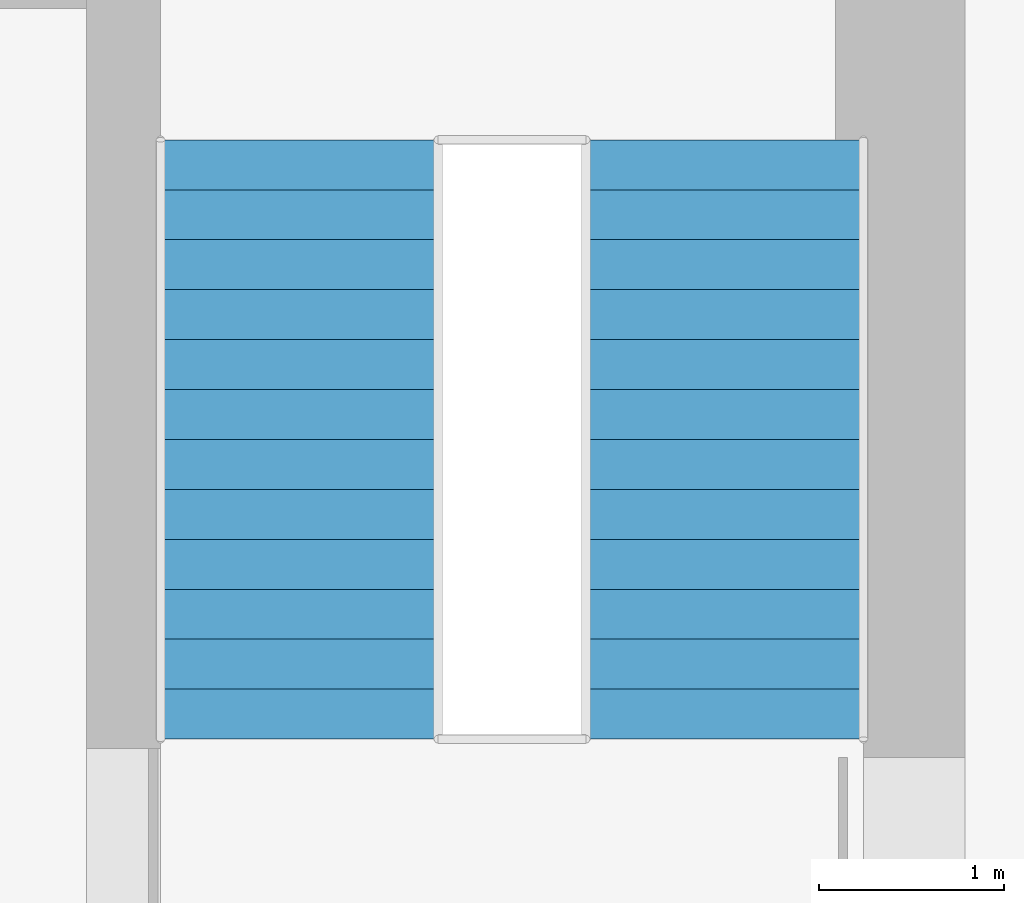
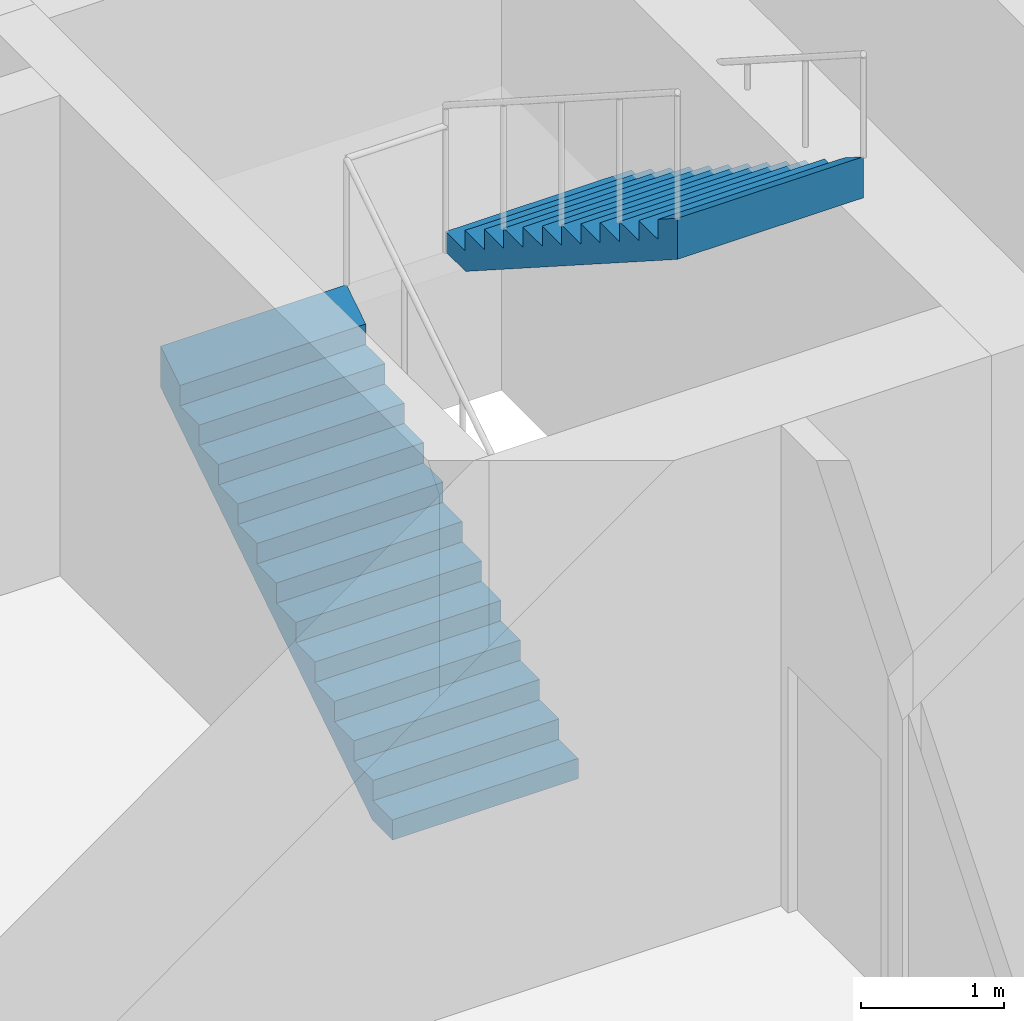
# One storey, part 11 of 14: 2 stair flights, 1 element without a shape of its own.
"""IFC4 building model written with IfcOpenShell, lengths in metres."""

from ifc_helpers import new_model, si_unit, direction, frame, origin, place, context, subcontext, project, spatial, triangles, material, type_object, element, aggregate, save


model = new_model("IFC4")

# Units and contexts
model_context = context("Model", 3, precision=1e-05, world=origin(), true_north=direction((0.0, 1.0)))
body_context = subcontext(model_context, "Body", "Model", "MODEL_VIEW")
ifc_project = project(units=[si_unit("LENGTHUNIT", "METRE"), si_unit("AREAUNIT", "SQUARE_METRE"), si_unit("VOLUMEUNIT", "CUBIC_METRE"), si_unit("PLANEANGLEUNIT", "RADIAN"), si_unit("MASSUNIT", "GRAM", prefix="KILO")], contexts=[model_context])

# Site, building, storey
site_placement = place(None, origin())
site = spatial("IfcSite", under=ifc_project, at=site_placement, CompositionType="ELEMENT")
building_placement = place(site_placement, origin())
building = spatial("IfcBuilding", under=site, at=building_placement, Name="Ludao Terraces", CompositionType="ELEMENT")
storey_placement = place(building_placement, frame((0.0, 0.0, -4.5)))
storey = spatial("IfcBuildingStorey", under=building, at=storey_placement, Name="B1", CompositionType="ELEMENT", Elevation=-4.5)

# Stair, stair flights
ifc_material = material(Name="Concrete C40", Category="concrete")
stair_type = type_object("IfcStairType", Name="INT Stair", PredefinedType="HALF_TURN_STAIR", material=ifc_material)
stair_placement = place(storey_placement, origin())
stair = element("IfcStair", 1, at=stair_placement, inside=storey, type_object=stair_type, Name="EXIT STAIR 3", PredefinedType="HALF_TURN_STAIR")
stair_flight_type = type_object("IfcStairFlightType", Name="INT Stair flight", PredefinedType="STRAIGHT", material=ifc_material)
stair_flight_1_placement = place(storey_placement, frame((91.5, 56.949951171875, 0.0), z_axis=(0.0, 0.0, 1.0), x_axis=(0.0, 1.0, 0.0)))
stair_flight_1 = element("IfcStairFlight", 2, at=stair_flight_1_placement, type_object=stair_flight_type, Name="ST3 flight 1", NumberOfRisers=13, NumberOfTreads=12, PredefinedType="STRAIGHT", RiserHeight=0.173077, TreadLength=0.27, context=body_context, shape_type="Tessellation", body=[
    triangles([(0.0, -0.75, 0.0), (0.0, -0.5, 0.0), (0.0, -0.25, 0.0), (0.0, 0.0, 0.0), (0.0, 0.25, 0.0), (0.0, 0.5, 0.0), (0.0, 0.75, 0.0), (0.0, -0.75, 0.173095703125), (0.0, -0.5, 0.173095703125), (0.0, -0.25, 0.173095703125), (0.0, 0.0, 0.173095703125), (0.0, 0.25, 0.173095703125), (0.0, 0.5, 0.173095703125), (0.0, 0.75, 0.173095703125), (0.27001953125, -0.75, 0.173095703125), (0.27001953125, -0.5, 0.173095703125), (0.27001953125, -0.25, 0.173095703125), (0.27001953125, 0.0, 0.173095703125), (0.27001953125, 0.25, 0.173095703125), (0.27001953125, 0.5, 0.173095703125), (0.27001953125, 0.75, 0.173095703125), (0.27001953125, -0.75, 0.34619140625), (0.27001953125, -0.5, 0.34619140625), (0.27001953125, -0.25, 0.34619140625), (0.27001953125, 0.0, 0.34619140625), (0.27001953125, 0.25, 0.34619140625), (0.27001953125, 0.5, 0.34619140625), (0.27001953125, 0.75, 0.34619140625), (0.5400390625, -0.75, 0.34619140625), (0.5400390625, -0.5, 0.34619140625), (0.5400390625, -0.25, 0.34619140625), (0.5400390625, 0.0, 0.34619140625), (0.5400390625, 0.25, 0.34619140625), (0.5400390625, 0.5, 0.34619140625), (0.5400390625, 0.75, 0.34619140625), (0.5400390625, -0.75, 0.519287109375), (0.5400390625, -0.5, 0.519287109375), (0.5400390625, -0.25, 0.519287109375), (0.5400390625, 0.0, 0.519287109375), (0.5400390625, 0.25, 0.519287109375), (0.5400390625, 0.5, 0.519287109375), (0.5400390625, 0.75, 0.519287109375), (0.81005859375, -0.75, 0.519287109375), (0.81005859375, -0.5, 0.519287109375), (0.81005859375, -0.25, 0.519287109375), (0.81005859375, 0.0, 0.519287109375), (0.81005859375, 0.25, 0.519287109375), (0.81005859375, 0.5, 0.519287109375), (0.81005859375, 0.75, 0.519287109375), (0.81005859375, -0.75, 0.6923828125), (0.81005859375, -0.5, 0.6923828125), (0.81005859375, -0.25, 0.6923828125), (0.81005859375, 0.0, 0.6923828125), (0.81005859375, 0.25, 0.6923828125), (0.81005859375, 0.5, 0.6923828125), (0.81005859375, 0.75, 0.6923828125), (1.080078125, -0.75, 0.6923828125), (1.080078125, -0.5, 0.6923828125), (1.080078125, -0.25, 0.6923828125), (1.080078125, 0.0, 0.6923828125), (1.080078125, 0.25, 0.6923828125), (1.080078125, 0.5, 0.6923828125), (1.080078125, 0.75, 0.6923828125), (1.080078125, -0.75, 0.865478515625), (1.080078125, -0.5, 0.865478515625), (1.080078125, -0.25, 0.865478515625), (1.080078125, 0.0, 0.865478515625), (1.080078125, 0.25, 0.865478515625), (1.080078125, 0.5, 0.865478515625), (1.080078125, 0.75, 0.865478515625), (1.35009765625, -0.75, 0.865478515625), (1.35009765625, -0.5, 0.865478515625), (1.35009765625, -0.25, 0.865478515625), (1.35009765625, 0.0, 0.865478515625), (1.35009765625, 0.25, 0.865478515625), (1.35009765625, 0.5, 0.865478515625), (1.35009765625, 0.75, 0.865478515625), (1.35009765625, -0.75, 1.03857421875), (1.35009765625, -0.5, 1.03857421875), (1.35009765625, -0.25, 1.03857421875), (1.35009765625, 0.0, 1.03857421875), (1.35009765625, 0.25, 1.03857421875), (1.35009765625, 0.5, 1.03857421875), (1.35009765625, 0.75, 1.03857421875), (1.6201171875, -0.75, 1.03857421875), (1.6201171875, -0.5, 1.03857421875), (1.6201171875, -0.25, 1.03857421875), (1.6201171875, 0.0, 1.03857421875), (1.6201171875, 0.25, 1.03857421875), (1.6201171875, 0.5, 1.03857421875), (1.6201171875, 0.75, 1.03857421875), (1.6201171875, -0.75, 1.21142578125), (1.6201171875, -0.5, 1.21142578125), (1.6201171875, -0.25, 1.21142578125), (1.6201171875, 0.0, 1.21142578125), (1.6201171875, 0.25, 1.21142578125), (1.6201171875, 0.5, 1.21142578125), (1.6201171875, 0.75, 1.21142578125), (1.889892578125, -0.75, 1.21142578125), (1.889892578125, -0.5, 1.21142578125), (1.889892578125, -0.25, 1.21142578125), (1.889892578125, 0.0, 1.21142578125), (1.889892578125, 0.25, 1.21142578125), (1.889892578125, 0.5, 1.21142578125), (1.889892578125, 0.75, 1.21142578125), (1.889892578125, -0.75, 1.384521484375), (1.889892578125, -0.5, 1.384521484375), (1.889892578125, -0.25, 1.384521484375), (1.889892578125, 0.0, 1.384521484375), (1.889892578125, 0.25, 1.384521484375), (1.889892578125, 0.5, 1.384521484375), (1.889892578125, 0.75, 1.384521484375), (2.159912109375, -0.75, 1.384521484375), (2.159912109375, -0.5, 1.384521484375), (2.159912109375, -0.25, 1.384521484375), (2.159912109375, 0.0, 1.384521484375), (2.159912109375, 0.25, 1.384521484375), (2.159912109375, 0.5, 1.384521484375), (2.159912109375, 0.75, 1.384521484375), (2.159912109375, -0.75, 1.5576171875), (2.159912109375, -0.5, 1.5576171875), (2.159912109375, -0.25, 1.5576171875), (2.159912109375, 0.0, 1.5576171875), (2.159912109375, 0.25, 1.5576171875), (2.159912109375, 0.5, 1.5576171875), (2.159912109375, 0.75, 1.5576171875), (2.429931640625, -0.75, 1.5576171875), (2.429931640625, -0.5, 1.5576171875), (2.429931640625, -0.25, 1.5576171875), (2.429931640625, 0.0, 1.5576171875), (2.429931640625, 0.25, 1.5576171875), (2.429931640625, 0.5, 1.5576171875), (2.429931640625, 0.75, 1.5576171875), (2.429931640625, -0.75, 1.730712890625), (2.429931640625, -0.5, 1.730712890625), (2.429931640625, -0.25, 1.730712890625), (2.429931640625, 0.0, 1.730712890625), (2.429931640625, 0.25, 1.730712890625), (2.429931640625, 0.5, 1.730712890625), (2.429931640625, 0.75, 1.730712890625), (2.699951171875, -0.75, 1.730712890625), (2.699951171875, -0.5, 1.730712890625), (2.699951171875, -0.25, 1.730712890625), (2.699951171875, 0.0, 1.730712890625), (2.699951171875, 0.25, 1.730712890625), (2.699951171875, 0.5, 1.730712890625), (2.699951171875, 0.75, 1.730712890625), (2.699951171875, -0.75, 1.90380859375), (2.699951171875, -0.5, 1.90380859375), (2.699951171875, -0.25, 1.90380859375), (2.699951171875, 0.0, 1.90380859375), (2.699951171875, 0.25, 1.90380859375), (2.699951171875, 0.5, 1.90380859375), (2.699951171875, 0.75, 1.90380859375), (2.969970703125, -0.75, 1.90380859375), (2.969970703125, -0.5, 1.90380859375), (2.969970703125, -0.25, 1.90380859375), (2.969970703125, 0.0, 1.90380859375), (2.969970703125, 0.25, 1.90380859375), (2.969970703125, 0.5, 1.90380859375), (2.969970703125, 0.75, 1.90380859375), (2.969970703125, -0.75, 2.076904296875), (2.969970703125, -0.5, 2.076904296875), (2.969970703125, -0.25, 2.076904296875), (2.969970703125, 0.0, 2.076904296875), (2.969970703125, 0.25, 2.076904296875), (2.969970703125, 0.5, 2.076904296875), (2.969970703125, 0.75, 2.076904296875), (3.239990234375, -0.75, 2.25), (3.239990234375, -0.5, 2.25), (3.239990234375, -0.25, 2.25), (3.239990234375, 0.0, 2.25), (3.239990234375, 0.25, 2.25), (3.239990234375, 0.5, 2.25), (3.239990234375, 0.75, 2.25), (3.239990234375, -0.75, 1.89892578125), (3.239990234375, -0.5, 1.89892578125), (3.239990234375, -0.25, 1.89892578125), (3.239990234375, 0.0, 1.89892578125), (3.239990234375, 0.25, 1.89892578125), (3.239990234375, 0.5, 1.89892578125), (3.239990234375, 0.75, 1.89892578125), (0.27783203125, -0.75, 0.0), (0.27783203125, -0.5, 0.0), (0.27783203125, -0.25, 0.0), (0.27783203125, 0.0, 0.0), (0.27783203125, 0.25, 0.0), (0.27783203125, 0.5, 0.0), (0.27783203125, 0.75, 0.0)], [[1, 183, 176], [7, 182, 189], [176, 169, 162], [182, 168, 175], [176, 162, 155], [182, 161, 168], [176, 155, 148], [182, 154, 161], [176, 148, 141], [182, 147, 154], [141, 134, 127], [147, 133, 140], [176, 141, 127], [182, 133, 147], [127, 120, 113], [133, 119, 126], [176, 127, 113], [182, 119, 133], [113, 106, 99], [119, 105, 112], [176, 113, 99], [182, 105, 119], [1, 176, 99], [7, 105, 182], [99, 92, 85], [105, 91, 98], [85, 78, 71], [91, 77, 84], [99, 85, 71], [105, 77, 91], [71, 64, 57], [77, 63, 70], [99, 71, 57], [105, 63, 77], [57, 50, 43], [63, 49, 56], [99, 57, 43], [105, 49, 63], [43, 36, 29], [49, 35, 42], [99, 43, 29], [105, 35, 49], [29, 22, 15], [35, 21, 28], [99, 29, 15], [105, 21, 35], [1, 99, 15], [7, 21, 105], [15, 8, 1], [21, 7, 14], [1, 9, 2], [1, 8, 9], [2, 10, 3], [2, 9, 10], [3, 11, 4], [3, 10, 11], [4, 12, 5], [4, 11, 12], [5, 13, 6], [5, 12, 13], [6, 14, 7], [6, 13, 14], [8, 16, 9], [8, 15, 16], [9, 17, 10], [9, 16, 17], [10, 18, 11], [10, 17, 18], [11, 19, 12], [11, 18, 19], [12, 20, 13], [12, 19, 20], [13, 21, 14], [13, 20, 21], [15, 23, 16], [15, 22, 23], [16, 24, 17], [16, 23, 24], [17, 25, 18], [17, 24, 25], [18, 26, 19], [18, 25, 26], [19, 27, 20], [19, 26, 27], [20, 28, 21], [20, 27, 28], [22, 30, 23], [22, 29, 30], [23, 31, 24], [23, 30, 31], [24, 32, 25], [24, 31, 32], [25, 33, 26], [25, 32, 33], [26, 34, 27], [26, 33, 34], [27, 35, 28], [27, 34, 35], [29, 37, 30], [29, 36, 37], [30, 38, 31], [30, 37, 38], [31, 39, 32], [31, 38, 39], [32, 40, 33], [32, 39, 40], [33, 41, 34], [33, 40, 41], [34, 42, 35], [34, 41, 42], [36, 44, 37], [36, 43, 44], [37, 45, 38], [37, 44, 45], [38, 46, 39], [38, 45, 46], [39, 47, 40], [39, 46, 47], [40, 48, 41], [40, 47, 48], [41, 49, 42], [41, 48, 49], [43, 51, 44], [43, 50, 51], [44, 52, 45], [44, 51, 52], [45, 53, 46], [45, 52, 53], [46, 54, 47], [46, 53, 54], [47, 55, 48], [47, 54, 55], [48, 56, 49], [48, 55, 56], [50, 58, 51], [50, 57, 58], [51, 59, 52], [51, 58, 59], [52, 60, 53], [52, 59, 60], [53, 61, 54], [53, 60, 61], [54, 62, 55], [54, 61, 62], [55, 63, 56], [55, 62, 63], [57, 65, 58], [57, 64, 65], [58, 66, 59], [58, 65, 66], [59, 67, 60], [59, 66, 67], [60, 68, 61], [60, 67, 68], [61, 69, 62], [61, 68, 69], [62, 70, 63], [62, 69, 70], [64, 72, 65], [64, 71, 72], [65, 73, 66], [65, 72, 73], [66, 74, 67], [66, 73, 74], [67, 75, 68], [67, 74, 75], [68, 76, 69], [68, 75, 76], [69, 77, 70], [69, 76, 77], [71, 79, 72], [71, 78, 79], [72, 80, 73], [72, 79, 80], [73, 81, 74], [73, 80, 81], [74, 82, 75], [74, 81, 82], [75, 83, 76], [75, 82, 83], [76, 84, 77], [76, 83, 84], [78, 86, 79], [78, 85, 86], [79, 87, 80], [79, 86, 87], [80, 88, 81], [80, 87, 88], [81, 89, 82], [81, 88, 89], [82, 90, 83], [82, 89, 90], [83, 91, 84], [83, 90, 91], [85, 93, 86], [85, 92, 93], [86, 94, 87], [86, 93, 94], [87, 95, 88], [87, 94, 95], [88, 96, 89], [88, 95, 96], [89, 97, 90], [89, 96, 97], [90, 98, 91], [90, 97, 98], [92, 100, 93], [92, 99, 100], [93, 101, 94], [93, 100, 101], [94, 102, 95], [94, 101, 102], [95, 103, 96], [95, 102, 103], [96, 104, 97], [96, 103, 104], [97, 105, 98], [97, 104, 105], [99, 107, 100], [99, 106, 107], [100, 108, 101], [100, 107, 108], [101, 109, 102], [101, 108, 109], [102, 110, 103], [102, 109, 110], [103, 111, 104], [103, 110, 111], [104, 112, 105], [104, 111, 112], [106, 114, 107], [106, 113, 114], [107, 115, 108], [107, 114, 115], [108, 116, 109], [108, 115, 116], [109, 117, 110], [109, 116, 117], [110, 118, 111], [110, 117, 118], [111, 119, 112], [111, 118, 119], [113, 121, 114], [113, 120, 121], [114, 122, 115], [114, 121, 122], [115, 123, 116], [115, 122, 123], [116, 124, 117], [116, 123, 124], [117, 125, 118], [117, 124, 125], [118, 126, 119], [118, 125, 126], [120, 128, 121], [120, 127, 128], [121, 129, 122], [121, 128, 129], [122, 130, 123], [122, 129, 130], [123, 131, 124], [123, 130, 131], [124, 132, 125], [124, 131, 132], [125, 133, 126], [125, 132, 133], [127, 135, 128], [127, 134, 135], [128, 136, 129], [128, 135, 136], [129, 137, 130], [129, 136, 137], [130, 138, 131], [130, 137, 138], [131, 139, 132], [131, 138, 139], [132, 140, 133], [132, 139, 140], [134, 142, 135], [134, 141, 142], [135, 143, 136], [135, 142, 143], [136, 144, 137], [136, 143, 144], [137, 145, 138], [137, 144, 145], [138, 146, 139], [138, 145, 146], [139, 147, 140], [139, 146, 147], [141, 149, 142], [141, 148, 149], [142, 150, 143], [142, 149, 150], [143, 151, 144], [143, 150, 151], [144, 152, 145], [144, 151, 152], [145, 153, 146], [145, 152, 153], [146, 154, 147], [146, 153, 154], [148, 156, 149], [148, 155, 156], [149, 157, 150], [149, 156, 157], [150, 158, 151], [150, 157, 158], [151, 159, 152], [151, 158, 159], [152, 160, 153], [152, 159, 160], [153, 161, 154], [153, 160, 161], [155, 163, 156], [155, 162, 163], [156, 164, 157], [156, 163, 164], [157, 165, 158], [157, 164, 165], [158, 166, 159], [158, 165, 166], [159, 167, 160], [159, 166, 167], [160, 168, 161], [160, 167, 168], [162, 170, 163], [162, 169, 170], [163, 171, 164], [163, 170, 171], [164, 172, 165], [164, 171, 172], [165, 173, 166], [165, 172, 173], [166, 174, 167], [166, 173, 174], [167, 175, 168], [167, 174, 175], [169, 177, 170], [169, 176, 177], [170, 178, 171], [170, 177, 178], [171, 179, 172], [171, 178, 179], [172, 180, 173], [172, 179, 180], [173, 181, 174], [173, 180, 181], [174, 182, 175], [174, 181, 182], [176, 184, 177], [176, 183, 184], [177, 185, 178], [177, 184, 185], [178, 186, 179], [178, 185, 186], [179, 187, 180], [179, 186, 187], [180, 188, 181], [180, 187, 188], [181, 189, 182], [181, 188, 189], [183, 2, 184], [183, 1, 2], [184, 3, 185], [184, 2, 3], [185, 4, 186], [185, 3, 4], [186, 5, 187], [186, 4, 5], [187, 6, 188], [187, 5, 6], [188, 7, 189], [188, 6, 7]], closed=True),
])
stair_flight_2_placement = place(storey_placement, frame((93.800048828125, 60.18994140625, 2.25), z_axis=(0.0, 0.0, 1.0), x_axis=(0.0, -1.0, 0.0)))
stair_flight_2 = element("IfcStairFlight", 3, at=stair_flight_2_placement, type_object=stair_flight_type, Name="ST3 flight 2", NumberOfRisers=13, NumberOfTreads=12, PredefinedType="STRAIGHT", RiserHeight=0.173077, TreadLength=0.27, context=body_context, shape_type="Tessellation", body=[
    triangles([(0.0, -0.75, 0.0), (0.0, -0.5, 0.0), (0.0, -0.25, 0.0), (0.0, 0.0, 0.0), (0.0, 0.25, 0.0), (0.0, 0.5, 0.0), (0.0, 0.75, 0.0), (0.0, -0.75, 0.173095703125), (0.0, -0.5, 0.173095703125), (0.0, -0.25, 0.173095703125), (0.0, 0.0, 0.173095703125), (0.0, 0.25, 0.173095703125), (0.0, 0.5, 0.173095703125), (0.0, 0.75, 0.173095703125), (0.27001953125, -0.75, 0.173095703125), (0.27001953125, -0.5, 0.173095703125), (0.27001953125, -0.25, 0.173095703125), (0.27001953125, 0.0, 0.173095703125), (0.27001953125, 0.25, 0.173095703125), (0.27001953125, 0.5, 0.173095703125), (0.27001953125, 0.75, 0.173095703125), (0.27001953125, -0.75, 0.34619140625), (0.27001953125, -0.5, 0.34619140625), (0.27001953125, -0.25, 0.34619140625), (0.27001953125, 0.0, 0.34619140625), (0.27001953125, 0.25, 0.34619140625), (0.27001953125, 0.5, 0.34619140625), (0.27001953125, 0.75, 0.34619140625), (0.5400390625, -0.75, 0.34619140625), (0.5400390625, -0.5, 0.34619140625), (0.5400390625, -0.25, 0.34619140625), (0.5400390625, 0.0, 0.34619140625), (0.5400390625, 0.25, 0.34619140625), (0.5400390625, 0.5, 0.34619140625), (0.5400390625, 0.75, 0.34619140625), (0.5400390625, -0.75, 0.519287109375), (0.5400390625, -0.5, 0.519287109375), (0.5400390625, -0.25, 0.519287109375), (0.5400390625, 0.0, 0.519287109375), (0.5400390625, 0.25, 0.519287109375), (0.5400390625, 0.5, 0.519287109375), (0.5400390625, 0.75, 0.519287109375), (0.81005859375, -0.75, 0.519287109375), (0.81005859375, -0.5, 0.519287109375), (0.81005859375, -0.25, 0.519287109375), (0.81005859375, 0.0, 0.519287109375), (0.81005859375, 0.25, 0.519287109375), (0.81005859375, 0.5, 0.519287109375), (0.81005859375, 0.75, 0.519287109375), (0.81005859375, -0.75, 0.6923828125), (0.81005859375, -0.5, 0.6923828125), (0.81005859375, -0.25, 0.6923828125), (0.81005859375, 0.0, 0.6923828125), (0.81005859375, 0.25, 0.6923828125), (0.81005859375, 0.5, 0.6923828125), (0.81005859375, 0.75, 0.6923828125), (1.080078125, -0.75, 0.6923828125), (1.080078125, -0.5, 0.6923828125), (1.080078125, -0.25, 0.6923828125), (1.080078125, 0.0, 0.6923828125), (1.080078125, 0.25, 0.6923828125), (1.080078125, 0.5, 0.6923828125), (1.080078125, 0.75, 0.6923828125), (1.080078125, -0.75, 0.865478515625), (1.080078125, -0.5, 0.865478515625), (1.080078125, -0.25, 0.865478515625), (1.080078125, 0.0, 0.865478515625), (1.080078125, 0.25, 0.865478515625), (1.080078125, 0.5, 0.865478515625), (1.080078125, 0.75, 0.865478515625), (1.35009765625, -0.75, 0.865478515625), (1.35009765625, -0.5, 0.865478515625), (1.35009765625, -0.25, 0.865478515625), (1.35009765625, 0.0, 0.865478515625), (1.35009765625, 0.25, 0.865478515625), (1.35009765625, 0.5, 0.865478515625), (1.35009765625, 0.75, 0.865478515625), (1.35009765625, -0.75, 1.03857421875), (1.35009765625, -0.5, 1.03857421875), (1.35009765625, -0.25, 1.03857421875), (1.35009765625, 0.0, 1.03857421875), (1.35009765625, 0.25, 1.03857421875), (1.35009765625, 0.5, 1.03857421875), (1.35009765625, 0.75, 1.03857421875), (1.6201171875, -0.75, 1.03857421875), (1.6201171875, -0.5, 1.03857421875), (1.6201171875, -0.25, 1.03857421875), (1.6201171875, 0.0, 1.03857421875), (1.6201171875, 0.25, 1.03857421875), (1.6201171875, 0.5, 1.03857421875), (1.6201171875, 0.75, 1.03857421875), (1.6201171875, -0.75, 1.21142578125), (1.6201171875, -0.5, 1.21142578125), (1.6201171875, -0.25, 1.21142578125), (1.6201171875, 0.0, 1.21142578125), (1.6201171875, 0.25, 1.21142578125), (1.6201171875, 0.5, 1.21142578125), (1.6201171875, 0.75, 1.21142578125), (1.889892578125, -0.75, 1.21142578125), (1.889892578125, -0.5, 1.21142578125), (1.889892578125, -0.25, 1.21142578125), (1.889892578125, 0.0, 1.21142578125), (1.889892578125, 0.25, 1.21142578125), (1.889892578125, 0.5, 1.21142578125), (1.889892578125, 0.75, 1.21142578125), (1.889892578125, -0.75, 1.384521484375), (1.889892578125, -0.5, 1.384521484375), (1.889892578125, -0.25, 1.384521484375), (1.889892578125, 0.0, 1.384521484375), (1.889892578125, 0.25, 1.384521484375), (1.889892578125, 0.5, 1.384521484375), (1.889892578125, 0.75, 1.384521484375), (2.159912109375, -0.75, 1.384521484375), (2.159912109375, -0.5, 1.384521484375), (2.159912109375, -0.25, 1.384521484375), (2.159912109375, 0.0, 1.384521484375), (2.159912109375, 0.25, 1.384521484375), (2.159912109375, 0.5, 1.384521484375), (2.159912109375, 0.75, 1.384521484375), (2.159912109375, -0.75, 1.5576171875), (2.159912109375, -0.5, 1.5576171875), (2.159912109375, -0.25, 1.5576171875), (2.159912109375, 0.0, 1.5576171875), (2.159912109375, 0.25, 1.5576171875), (2.159912109375, 0.5, 1.5576171875), (2.159912109375, 0.75, 1.5576171875), (2.429931640625, -0.75, 1.5576171875), (2.429931640625, -0.5, 1.5576171875), (2.429931640625, -0.25, 1.5576171875), (2.429931640625, 0.0, 1.5576171875), (2.429931640625, 0.25, 1.5576171875), (2.429931640625, 0.5, 1.5576171875), (2.429931640625, 0.75, 1.5576171875), (2.429931640625, -0.75, 1.730712890625), (2.429931640625, -0.5, 1.730712890625), (2.429931640625, -0.25, 1.730712890625), (2.429931640625, 0.0, 1.730712890625), (2.429931640625, 0.25, 1.730712890625), (2.429931640625, 0.5, 1.730712890625), (2.429931640625, 0.75, 1.730712890625), (2.699951171875, -0.75, 1.730712890625), (2.699951171875, -0.5, 1.730712890625), (2.699951171875, -0.25, 1.730712890625), (2.699951171875, 0.0, 1.730712890625), (2.699951171875, 0.25, 1.730712890625), (2.699951171875, 0.5, 1.730712890625), (2.699951171875, 0.75, 1.730712890625), (2.699951171875, -0.75, 1.90380859375), (2.699951171875, -0.5, 1.90380859375), (2.699951171875, -0.25, 1.90380859375), (2.699951171875, 0.0, 1.90380859375), (2.699951171875, 0.25, 1.90380859375), (2.699951171875, 0.5, 1.90380859375), (2.699951171875, 0.75, 1.90380859375), (2.969970703125, -0.75, 1.90380859375), (2.969970703125, -0.5, 1.90380859375), (2.969970703125, -0.25, 1.90380859375), (2.969970703125, 0.0, 1.90380859375), (2.969970703125, 0.25, 1.90380859375), (2.969970703125, 0.5, 1.90380859375), (2.969970703125, 0.75, 1.90380859375), (2.969970703125, -0.75, 2.076904296875), (2.969970703125, -0.5, 2.076904296875), (2.969970703125, -0.25, 2.076904296875), (2.969970703125, 0.0, 2.076904296875), (2.969970703125, 0.25, 2.076904296875), (2.969970703125, 0.5, 2.076904296875), (2.969970703125, 0.75, 2.076904296875), (3.239990234375, -0.75, 2.25), (3.239990234375, -0.5, 2.25), (3.239990234375, -0.25, 2.25), (3.239990234375, 0.0, 2.25), (3.239990234375, 0.25, 2.25), (3.239990234375, 0.5, 2.25), (3.239990234375, 0.75, 2.25), (3.239990234375, -0.75, 1.89892578125), (3.239990234375, -0.5, 1.89892578125), (3.239990234375, -0.25, 1.89892578125), (3.239990234375, 0.0, 1.89892578125), (3.239990234375, 0.25, 1.89892578125), (3.239990234375, 0.5, 1.89892578125), (3.239990234375, 0.75, 1.89892578125), (0.27783203125, -0.75, 0.0), (0.27783203125, -0.5, 0.0), (0.27783203125, -0.25, 0.0), (0.27783203125, 0.0, 0.0), (0.27783203125, 0.25, 0.0), (0.27783203125, 0.5, 0.0), (0.27783203125, 0.75, 0.0)], [[1, 183, 176], [7, 182, 189], [176, 169, 162], [182, 168, 175], [176, 162, 155], [182, 161, 168], [176, 155, 148], [182, 154, 161], [176, 148, 141], [182, 147, 154], [141, 134, 127], [147, 133, 140], [176, 141, 127], [182, 133, 147], [127, 120, 113], [133, 119, 126], [176, 127, 113], [182, 119, 133], [113, 106, 99], [119, 105, 112], [176, 113, 99], [182, 105, 119], [1, 176, 99], [7, 105, 182], [99, 92, 85], [105, 91, 98], [85, 78, 71], [91, 77, 84], [99, 85, 71], [105, 77, 91], [71, 64, 57], [77, 63, 70], [99, 71, 57], [105, 63, 77], [57, 50, 43], [63, 49, 56], [99, 57, 43], [105, 49, 63], [43, 36, 29], [49, 35, 42], [99, 43, 29], [105, 35, 49], [29, 22, 15], [35, 21, 28], [99, 29, 15], [105, 21, 35], [1, 99, 15], [7, 21, 105], [15, 8, 1], [21, 7, 14], [1, 9, 2], [1, 8, 9], [2, 10, 3], [2, 9, 10], [3, 11, 4], [3, 10, 11], [4, 12, 5], [4, 11, 12], [5, 13, 6], [5, 12, 13], [6, 14, 7], [6, 13, 14], [8, 16, 9], [8, 15, 16], [9, 17, 10], [9, 16, 17], [10, 18, 11], [10, 17, 18], [11, 19, 12], [11, 18, 19], [12, 20, 13], [12, 19, 20], [13, 21, 14], [13, 20, 21], [15, 23, 16], [15, 22, 23], [16, 24, 17], [16, 23, 24], [17, 25, 18], [17, 24, 25], [18, 26, 19], [18, 25, 26], [19, 27, 20], [19, 26, 27], [20, 28, 21], [20, 27, 28], [22, 30, 23], [22, 29, 30], [23, 31, 24], [23, 30, 31], [24, 32, 25], [24, 31, 32], [25, 33, 26], [25, 32, 33], [26, 34, 27], [26, 33, 34], [27, 35, 28], [27, 34, 35], [29, 37, 30], [29, 36, 37], [30, 38, 31], [30, 37, 38], [31, 39, 32], [31, 38, 39], [32, 40, 33], [32, 39, 40], [33, 41, 34], [33, 40, 41], [34, 42, 35], [34, 41, 42], [36, 44, 37], [36, 43, 44], [37, 45, 38], [37, 44, 45], [38, 46, 39], [38, 45, 46], [39, 47, 40], [39, 46, 47], [40, 48, 41], [40, 47, 48], [41, 49, 42], [41, 48, 49], [43, 51, 44], [43, 50, 51], [44, 52, 45], [44, 51, 52], [45, 53, 46], [45, 52, 53], [46, 54, 47], [46, 53, 54], [47, 55, 48], [47, 54, 55], [48, 56, 49], [48, 55, 56], [50, 58, 51], [50, 57, 58], [51, 59, 52], [51, 58, 59], [52, 60, 53], [52, 59, 60], [53, 61, 54], [53, 60, 61], [54, 62, 55], [54, 61, 62], [55, 63, 56], [55, 62, 63], [57, 65, 58], [57, 64, 65], [58, 66, 59], [58, 65, 66], [59, 67, 60], [59, 66, 67], [60, 68, 61], [60, 67, 68], [61, 69, 62], [61, 68, 69], [62, 70, 63], [62, 69, 70], [64, 72, 65], [64, 71, 72], [65, 73, 66], [65, 72, 73], [66, 74, 67], [66, 73, 74], [67, 75, 68], [67, 74, 75], [68, 76, 69], [68, 75, 76], [69, 77, 70], [69, 76, 77], [71, 79, 72], [71, 78, 79], [72, 80, 73], [72, 79, 80], [73, 81, 74], [73, 80, 81], [74, 82, 75], [74, 81, 82], [75, 83, 76], [75, 82, 83], [76, 84, 77], [76, 83, 84], [78, 86, 79], [78, 85, 86], [79, 87, 80], [79, 86, 87], [80, 88, 81], [80, 87, 88], [81, 89, 82], [81, 88, 89], [82, 90, 83], [82, 89, 90], [83, 91, 84], [83, 90, 91], [85, 93, 86], [85, 92, 93], [86, 94, 87], [86, 93, 94], [87, 95, 88], [87, 94, 95], [88, 96, 89], [88, 95, 96], [89, 97, 90], [89, 96, 97], [90, 98, 91], [90, 97, 98], [92, 100, 93], [92, 99, 100], [93, 101, 94], [93, 100, 101], [94, 102, 95], [94, 101, 102], [95, 103, 96], [95, 102, 103], [96, 104, 97], [96, 103, 104], [97, 105, 98], [97, 104, 105], [99, 107, 100], [99, 106, 107], [100, 108, 101], [100, 107, 108], [101, 109, 102], [101, 108, 109], [102, 110, 103], [102, 109, 110], [103, 111, 104], [103, 110, 111], [104, 112, 105], [104, 111, 112], [106, 114, 107], [106, 113, 114], [107, 115, 108], [107, 114, 115], [108, 116, 109], [108, 115, 116], [109, 117, 110], [109, 116, 117], [110, 118, 111], [110, 117, 118], [111, 119, 112], [111, 118, 119], [113, 121, 114], [113, 120, 121], [114, 122, 115], [114, 121, 122], [115, 123, 116], [115, 122, 123], [116, 124, 117], [116, 123, 124], [117, 125, 118], [117, 124, 125], [118, 126, 119], [118, 125, 126], [120, 128, 121], [120, 127, 128], [121, 129, 122], [121, 128, 129], [122, 130, 123], [122, 129, 130], [123, 131, 124], [123, 130, 131], [124, 132, 125], [124, 131, 132], [125, 133, 126], [125, 132, 133], [127, 135, 128], [127, 134, 135], [128, 136, 129], [128, 135, 136], [129, 137, 130], [129, 136, 137], [130, 138, 131], [130, 137, 138], [131, 139, 132], [131, 138, 139], [132, 140, 133], [132, 139, 140], [134, 142, 135], [134, 141, 142], [135, 143, 136], [135, 142, 143], [136, 144, 137], [136, 143, 144], [137, 145, 138], [137, 144, 145], [138, 146, 139], [138, 145, 146], [139, 147, 140], [139, 146, 147], [141, 149, 142], [141, 148, 149], [142, 150, 143], [142, 149, 150], [143, 151, 144], [143, 150, 151], [144, 152, 145], [144, 151, 152], [145, 153, 146], [145, 152, 153], [146, 154, 147], [146, 153, 154], [148, 156, 149], [148, 155, 156], [149, 157, 150], [149, 156, 157], [150, 158, 151], [150, 157, 158], [151, 159, 152], [151, 158, 159], [152, 160, 153], [152, 159, 160], [153, 161, 154], [153, 160, 161], [155, 163, 156], [155, 162, 163], [156, 164, 157], [156, 163, 164], [157, 165, 158], [157, 164, 165], [158, 166, 159], [158, 165, 166], [159, 167, 160], [159, 166, 167], [160, 168, 161], [160, 167, 168], [162, 170, 163], [162, 169, 170], [163, 171, 164], [163, 170, 171], [164, 172, 165], [164, 171, 172], [165, 173, 166], [165, 172, 173], [166, 174, 167], [166, 173, 174], [167, 175, 168], [167, 174, 175], [169, 177, 170], [169, 176, 177], [170, 178, 171], [170, 177, 178], [171, 179, 172], [171, 178, 179], [172, 180, 173], [172, 179, 180], [173, 181, 174], [173, 180, 181], [174, 182, 175], [174, 181, 182], [176, 184, 177], [176, 183, 184], [177, 185, 178], [177, 184, 185], [178, 186, 179], [178, 185, 186], [179, 187, 180], [179, 186, 187], [180, 188, 181], [180, 187, 188], [181, 189, 182], [181, 188, 189], [183, 2, 184], [183, 1, 2], [184, 3, 185], [184, 2, 3], [185, 4, 186], [185, 3, 4], [186, 5, 187], [186, 4, 5], [187, 6, 188], [187, 5, 6], [188, 7, 189], [188, 6, 7]], closed=True),
])
aggregate(stair, [stair_flight_1, stair_flight_2])

save(model, "model.ifc")
